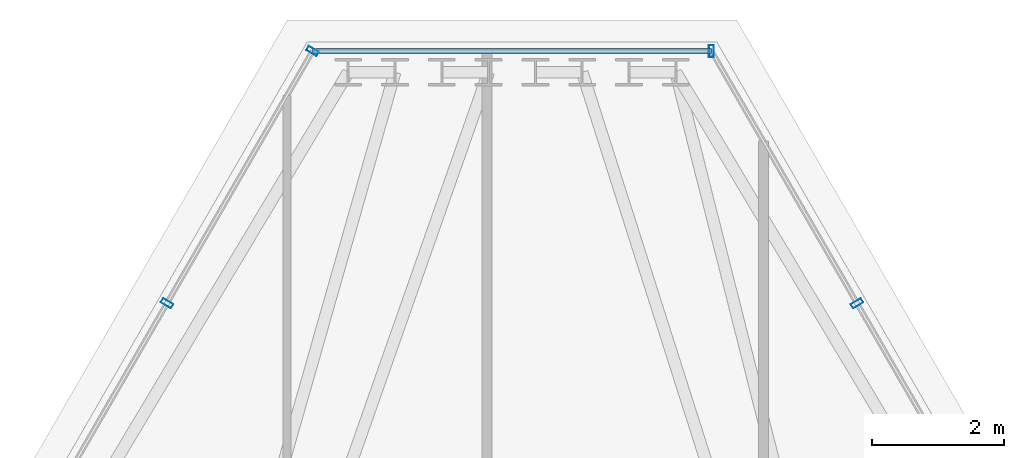
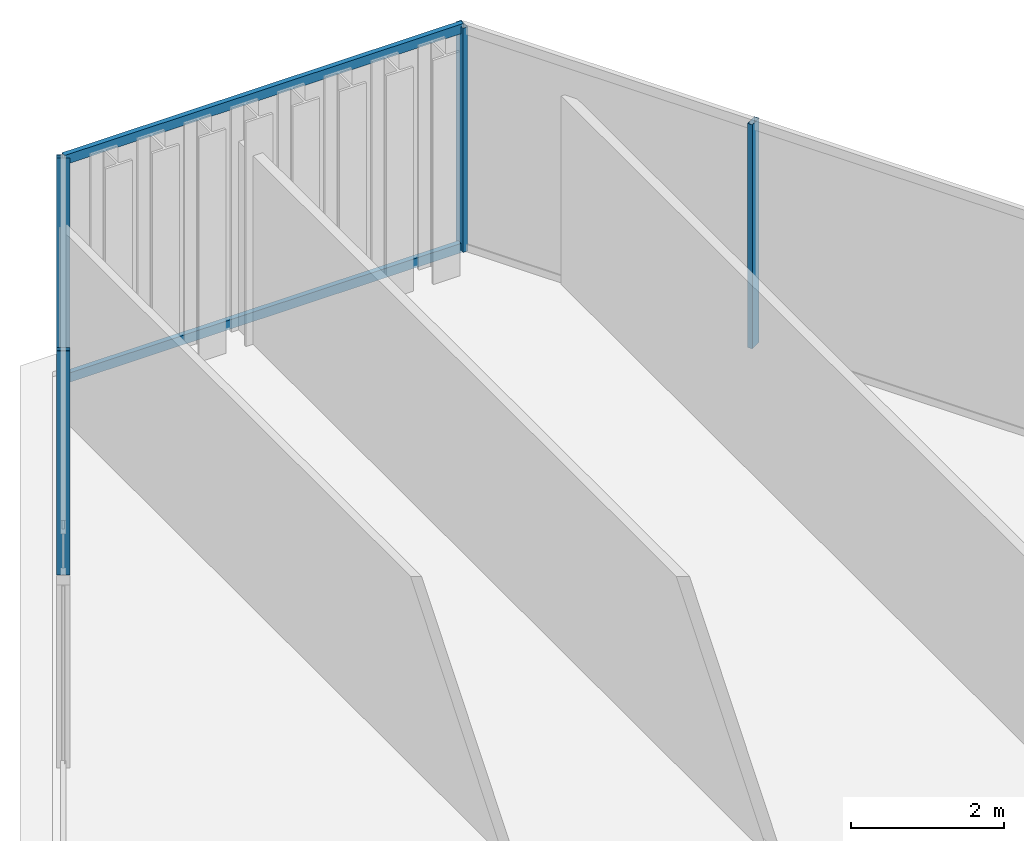
# One storey, part 25 of 32: 6 members, 3 elements without a shape of their own.
"""IFC4 building model written with IfcOpenShell, lengths in metres."""

from ifc_helpers import new_model, si_unit, direction, frame, origin, origin_2d, place, context, subcontext, project, spatial, hollow_rectangle, extrude, material, layer, layer_set, material_profile, profile_set, type_object, element, aggregate, save


model = new_model("IFC4")

# Units and contexts
model_context = context("Model", 3, precision=1e-05, world=origin(), true_north=direction((0.0, 1.0)))
body_context = subcontext(model_context, "Body", "Model", "MODEL_VIEW")
ifc_project = project(units=[si_unit("LENGTHUNIT", "METRE"), si_unit("AREAUNIT", "SQUARE_METRE"), si_unit("VOLUMEUNIT", "CUBIC_METRE"), si_unit("PLANEANGLEUNIT", "RADIAN"), si_unit("MASSUNIT", "GRAM", prefix="KILO")], contexts=[model_context])

# Site, building, storey
site_placement = place(None, origin())
site = spatial("IfcSite", under=ifc_project, at=site_placement, CompositionType="ELEMENT")
building_placement = place(site_placement, origin())
building = spatial("IfcBuilding", under=site, at=building_placement, Name="Ndaravel Arena Tower", CompositionType="ELEMENT")
storey_placement = place(building_placement, frame((0.0, 0.0, 252.199951171875)))
storey = spatial("IfcBuildingStorey", under=building, at=storey_placement, Name="L61", CompositionType="ELEMENT", Elevation=252.199951171875)

# Curtain wall, member
ifc_material_1 = material(Name="Aluminium", Category="aluminium")
ifc_layer_1 = layer(ifc_material_1, 0.179931640625)
ifc_layer_set_1 = layer_set([ifc_layer_1], Name="Aluminium")
curtain_wall_type_1 = type_object("IfcCurtainWallType", Name="CW-SYS-03", PredefinedType="NOTDEFINED", material=ifc_layer_set_1)
curtain_wall_1_placement = place(storey_placement, origin())
curtain_wall_1 = element("IfcCurtainWall", 1, at=curtain_wall_1_placement, inside=storey, type_object=curtain_wall_type_1, Name="L61 Faceted Crystal Curtain Wall CW-L61-E03", PredefinedType="NOTDEFINED")
ifc_material_2 = material(Name="Aluminium", Category="aluminium")
ifc_material_profile_1 = material_profile(ifc_material_2, hollow_rectangle(XDim=0.074951171875, YDim=0.179931640625, WallThickness=0.00390625, at=origin_2d()), Name="CW MULLION 75x180x4")
ifc_profile_set_1 = profile_set([ifc_material_profile_1], Name="Aluminium")
member_type_1 = type_object("IfcMemberType", Name="MEM-CW-MUL180", PredefinedType="MULLION", material=ifc_profile_set_1)
member_1_placement = place(storey_placement, frame((47.214111328125, 40.868408203125, 0.0), z_axis=(0.0, 0.0, 1.0), x_axis=(-0.5, 0.866025403784, 0.0)))
member_1 = element("IfcMember", 2, at=member_1_placement, type_object=member_type_1, Name="CW-L61-E03 Mullion 08", PredefinedType="MULLION", context=body_context, shape_type="SweptSolid", body=[
    extrude(hollow_rectangle(XDim=0.074951171875, YDim=0.179931640625, WallThickness=0.00390625, at=origin_2d()), origin(), (0.0, 0.0, 1.0), 3.580078125),
])
aggregate(curtain_wall_1, [member_1])

ifc_material_3 = material(Name="Aluminium", Category="aluminium")
ifc_layer_2 = layer(ifc_material_3, 0.179931640625)
ifc_layer_set_2 = layer_set([ifc_layer_2], Name="Aluminium")
curtain_wall_type_2 = type_object("IfcCurtainWallType", Name="CW-SYS-01", PredefinedType="NOTDEFINED", material=ifc_layer_set_2)
curtain_wall_2_placement = place(storey_placement, origin())
curtain_wall_2 = element("IfcCurtainWall", 3, at=curtain_wall_2_placement, inside=storey, type_object=curtain_wall_type_2, Name="L61 Faceted Crystal Curtain Wall CW-L61-E04", PredefinedType="NOTDEFINED")
member_2_placement = place(storey_placement, frame((45.013671875, 44.679443359375, 0.0), z_axis=(0.0, 0.0, 1.0), x_axis=(-1.0, 0.0, 0.0)))
member_2 = element("IfcMember", 4, at=member_2_placement, type_object=member_type_1, Name="CW-L61-E04 Mullion 00", PredefinedType="MULLION", context=body_context, shape_type="SweptSolid", body=[
    extrude(hollow_rectangle(XDim=0.074951171875, YDim=0.179931640625, WallThickness=0.00390625, at=origin_2d()), origin(), (0.0, 0.0, 1.0), 3.580078125),
])

# Curtain wall, members
curtain_wall_3_placement = place(storey_placement, origin())
curtain_wall_3 = element("IfcCurtainWall", 5, at=curtain_wall_3_placement, inside=storey, type_object=curtain_wall_type_1, Name="L61 Faceted Crystal Curtain Wall CW-L61-E05", PredefinedType="NOTDEFINED")
member_3_placement = place(storey_placement, frame((38.986328125, 44.679443359375, 0.0), z_axis=(0.0, 0.0, 1.0), x_axis=(-0.5, -0.866025403784, 0.0)))
member_3 = element("IfcMember", 6, at=member_3_placement, type_object=member_type_1, Name="CW-L61-E05 Mullion 00", PredefinedType="MULLION", context=body_context, shape_type="SweptSolid", body=[
    extrude(hollow_rectangle(XDim=0.074951171875, YDim=0.179931640625, WallThickness=0.00390625, at=origin_2d()), origin(), (0.0, 0.0, 1.0), 3.580078125),
])
member_4_placement = place(storey_placement, frame((36.785888671875, 40.868408203125, 0.0), z_axis=(0.0, 0.0, 1.0), x_axis=(-0.5, -0.866025403784, 0.0)))
member_4 = element("IfcMember", 7, at=member_4_placement, type_object=member_type_1, Name="CW-L61-E05 Mullion 01", PredefinedType="MULLION", context=body_context, shape_type="SweptSolid", body=[
    extrude(hollow_rectangle(XDim=0.074951171875, YDim=0.179931640625, WallThickness=0.00390625, at=origin_2d()), origin(), (0.0, 0.0, 1.0), 3.580078125),
])
aggregate(curtain_wall_3, [member_3, member_4])

# Member
ifc_material_4 = material(Name="Aluminium", Category="aluminium")
ifc_material_profile_2 = material_profile(ifc_material_4, hollow_rectangle(XDim=0.074951171875, YDim=0.14990234375, WallThickness=0.00390625, at=origin_2d()), Name="CW TRANSOM 75x150x4")
ifc_profile_set_2 = profile_set([ifc_material_profile_2], Name="Aluminium")
member_type_2 = type_object("IfcMemberType", Name="MEM-CW-TRN150", PredefinedType="USERDEFINED", material=ifc_profile_set_2)
member_5_placement = place(storey_placement, frame((45.013671875, 44.679443359375, 0.0400390625), z_axis=(-1.0, 0.0, 0.0), x_axis=(0.0, -1.0, 0.0)))
member_5 = element("IfcMember", 8, at=member_5_placement, type_object=member_type_2, Name="CW-L61-E04 Transom 01", ObjectType="TRANSOM", PredefinedType="USERDEFINED", context=body_context, shape_type="SweptSolid", body=[
    extrude(hollow_rectangle(XDim=0.074951171875, YDim=0.14990234375, WallThickness=0.00390625, at=origin_2d()), origin(), (0.0, 0.0, 1.0), 6.02734375),
])

member_6_placement = place(storey_placement, frame((45.013671875, 44.679443359375, 3.5400390625), z_axis=(-1.0, 0.0, 0.0), x_axis=(0.0, -1.0, 0.0)))
member_6 = element("IfcMember", 9, at=member_6_placement, type_object=member_type_2, Name="CW-L61-E04 Transom 02", ObjectType="TRANSOM", PredefinedType="USERDEFINED", context=body_context, shape_type="SweptSolid", body=[
    extrude(hollow_rectangle(XDim=0.074951171875, YDim=0.14990234375, WallThickness=0.00390625, at=origin_2d()), origin(), (0.0, 0.0, 1.0), 6.02734375),
])

aggregate(curtain_wall_2, [member_2, member_5, member_6])

save(model, "model.ifc")
